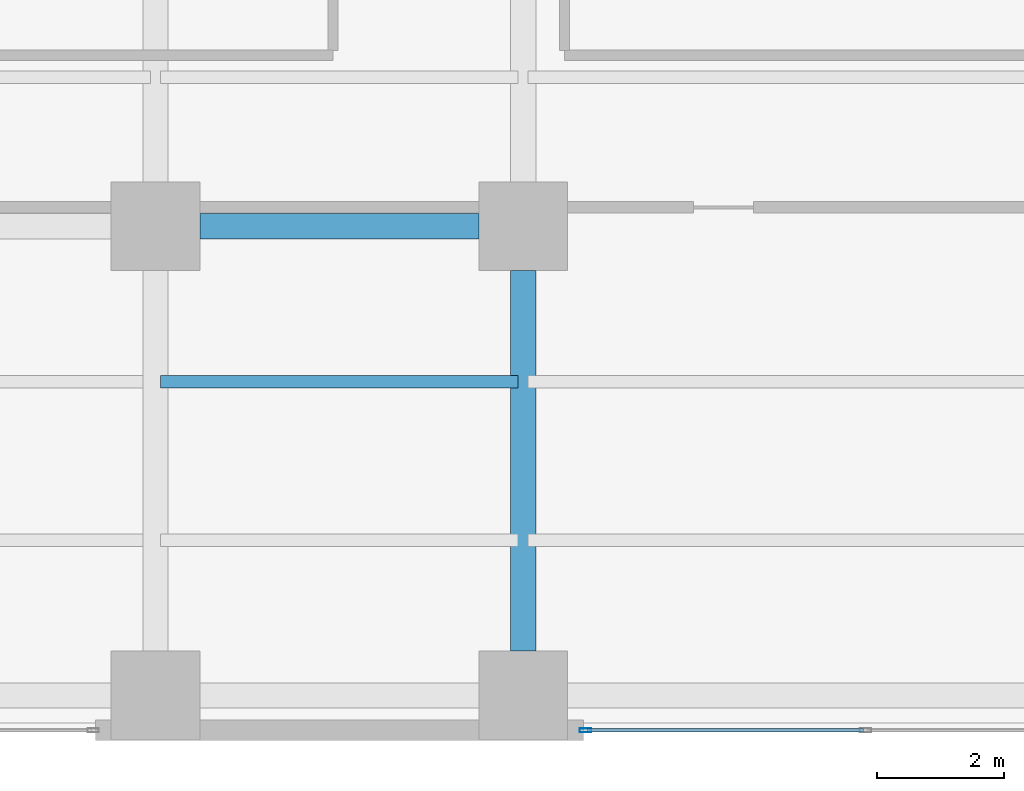
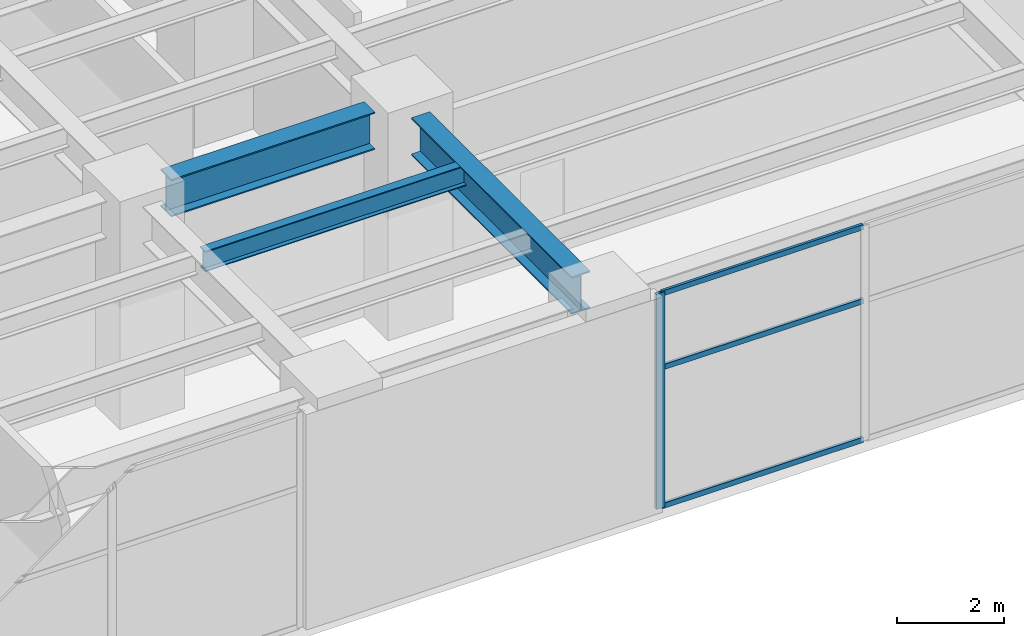
# One storey, part 6 of 29: 4 members, 3 beams, 1 element without a shape of its own.
"""IFC4 building model written with IfcOpenShell, lengths in metres."""

import ifcopenshell
import ifcopenshell.guid

model = None  # the IFC model being written
_history = None  # IfcOwnerHistory: only IFC2X3 demands one
_inside = {}  # id of a spatial element -> (the spatial element, [elements in it])
_under = {}  # id of a project, library or spatial element -> (it, [spatial elements below it])
_declared = {}  # id of a project -> (the project, [libraries it declares])
_typed = {}  # id of a type object -> (the type object, [elements of that type])
_made_of = {}  # id of a material, layer set ... -> (it, [elements and type objects made of it])


def new_model(schema):
    """Start an empty IFC model of exactly this schema.

    Asked for "IFC4X3", IfcOpenShell would pick the latest addendum, in which some entities
    have other attributes; the version numbers below select the first issue.
    IFC2X3 requires an IfcOwnerHistory on every rooted entity: one is made here for all.
    """
    global model, _history
    if schema == "IFC4X3":
        model = ifcopenshell.file(schema_version=(4, 3, 0, 0))
    else:
        model = ifcopenshell.file(schema=schema)
    _inside.clear()
    _under.clear()
    _declared.clear()
    _typed.clear()
    _made_of.clear()
    _history = None
    if model.schema == "IFC2X3":
        org = make("IfcOrganization", Name="unknown")
        user = make(
            "IfcPersonAndOrganization",
            ThePerson=make("IfcPerson", FamilyName="unknown"),
            TheOrganization=org,
        )
        app = make(
            "IfcApplication",
            ApplicationDeveloper=org,
            Version="unknown",
            ApplicationFullName="unknown",
            ApplicationIdentifier="unknown",
        )
        _history = make(
            "IfcOwnerHistory",
            OwningUser=user,
            OwningApplication=app,
            ChangeAction="ADDED",
            CreationDate=0,
        )
    return model


def make(cls, **values):
    """One entity of the class cls with the attributes given. An attribute that is None is left unset."""
    return model.create_entity(
        cls, **{name: value for name, value in values.items() if value is not None}
    )


def rooted(cls, **values):
    """An entity with a GlobalId (a new one), such as an element, a storey or a relation."""
    return make(cls, GlobalId=ifcopenshell.guid.new(), OwnerHistory=_history, **values)


def si_unit(unit_type, name, prefix=None):
    """IfcSIUnit, for example si_unit("LENGTHUNIT", "METRE", prefix="MILLI")."""
    return make("IfcSIUnit", UnitType=unit_type, Prefix=prefix, Name=name)


def assignment(units):
    """IfcUnitAssignment: the units of a project."""
    return None if units is None else make("IfcUnitAssignment", Units=units)


def point(xyz):
    """IfcCartesianPoint."""
    return None if xyz is None else make("IfcCartesianPoint", Coordinates=xyz)


def direction(xyz):
    """IfcDirection."""
    return None if xyz is None else make("IfcDirection", DirectionRatios=xyz)


def frame(location, z_axis=None, x_axis=None):
    """IfcAxis2Placement3D, a coordinate frame: its origin and axes. An axis left out is left unset."""
    return make(
        "IfcAxis2Placement3D",
        Location=point(location),
        Axis=direction(z_axis),
        RefDirection=direction(x_axis),
    )


def frame_2d(location, x_axis=None):
    """IfcAxis2Placement2D, a coordinate frame in the plane: its origin and x axis."""
    return make(
        "IfcAxis2Placement2D", Location=point(location), RefDirection=direction(x_axis)
    )


def origin():
    """The frame at (0, 0, 0) with its axes left unset."""
    return frame((0.0, 0.0, 0.0))


def origin_2d():
    """The frame at (0, 0) in the plane with its x axis left unset."""
    return frame_2d((0.0, 0.0))


def place(relative_to, where):
    """IfcLocalPlacement: puts the frame where relative to a parent placement (None: the world)."""
    return make(
        "IfcLocalPlacement", PlacementRelTo=relative_to, RelativePlacement=where
    )


def context(
    kind, dimensions, precision=None, world=None, true_north=None, identifier=None
):
    """IfcGeometricRepresentationContext, for example the 3D "Model" context."""
    return make(
        "IfcGeometricRepresentationContext",
        ContextIdentifier=identifier,
        ContextType=kind,
        CoordinateSpaceDimension=dimensions,
        Precision=precision,
        WorldCoordinateSystem=world,
        TrueNorth=true_north,
    )


def subcontext(parent, identifier, kind, view, scale=None):
    """IfcGeometricRepresentationSubContext, for example "Body" below "Model"."""
    return make(
        "IfcGeometricRepresentationSubContext",
        ContextIdentifier=identifier,
        ContextType=kind,
        ParentContext=parent,
        TargetScale=scale,
        TargetView=view,
    )


def project(units=None, contexts=None):
    """IfcProject with its units and contexts."""
    return rooted(
        "IfcProject",
        Name="project",
        RepresentationContexts=contexts,
        UnitsInContext=assignment(units),
    )


def spatial(cls, under=None, at=None, **own):
    """A site, building, storey or space (cls), placed at a placement, below another one or the project."""
    s = rooted(cls, ObjectPlacement=at, **own)
    if under is not None:
        _under.setdefault(under.id(), (under, []))[1].append(s)
    return s


def profile(cls, at=None, kind="AREA", **sizes):
    """A parametric profile (cls). Its sizes go by their IFC names, for example OverallWidth=200.0."""
    return make(cls, ProfileType=kind, Position=at, **sizes)


def hollow_rectangle(**sizes):
    """IfcRectangleHollowProfileDef."""
    return profile("IfcRectangleHollowProfileDef", **sizes)


def i_section(**sizes):
    """IfcIShapeProfileDef."""
    return profile("IfcIShapeProfileDef", **sizes)


def extrude(swept, where, along, depth):
    """IfcExtrudedAreaSolid: the profile swept, set in the frame where, extruded along a direction by depth."""
    return make(
        "IfcExtrudedAreaSolid",
        SweptArea=swept,
        Position=where,
        ExtrudedDirection=direction(along),
        Depth=depth,
    )


def shape(context_of_items, identifier, shape_type, items):
    """IfcShapeRepresentation: the items that make up one representation, for example the "Body"."""
    return make(
        "IfcShapeRepresentation",
        ContextOfItems=context_of_items,
        RepresentationIdentifier=identifier,
        RepresentationType=shape_type,
        Items=items,
    )


def material(Name=None, Category=None):
    """IfcMaterial."""
    return make("IfcMaterial", Name=Name, Category=Category)


def layer(
    of_material, thickness, ventilated=None, Name=None, Category=None, Priority=None
):
    """IfcMaterialLayer: one layer of a wall or slab, of a material (None: an air gap)."""
    return make(
        "IfcMaterialLayer",
        Material=of_material,
        LayerThickness=thickness,
        IsVentilated=ventilated,
        Name=Name,
        Category=Category,
        Priority=Priority,
    )


def layer_set(layers, Name=None):
    """IfcMaterialLayerSet."""
    return make("IfcMaterialLayerSet", MaterialLayers=layers, LayerSetName=Name)


def material_profile(
    of_material, cross_section, Name=None, Category=None, Priority=None
):
    """IfcMaterialProfile: a cross section and its material."""
    return make(
        "IfcMaterialProfile",
        Name=Name,
        Material=of_material,
        Profile=cross_section,
        Priority=Priority,
        Category=Category,
    )


def profile_set(profiles, Name=None, composite=None):
    """IfcMaterialProfileSet."""
    return make(
        "IfcMaterialProfileSet",
        Name=Name,
        MaterialProfiles=profiles,
        CompositeProfile=composite,
    )


def made_of(thing, what):
    """Note that an element or type object is made of a material, layer set ...; save() writes the relation."""
    if what is not None:
        _made_of.setdefault(what.id(), (what, []))[1].append(thing)
    return thing


def type_object(cls, material=None, **own):
    """A type object (cls), such as IfcWallType, which elements share."""
    return made_of(rooted(cls, **own), material)


def element(
    cls,
    number,
    at=None,
    inside=None,
    cuts=None,
    type_object=None,
    material=None,
    context=None,
    identifier="Body",
    shape_type=None,
    held_by="IfcProductDefinitionShape",
    body=None,
    shapes=None,
    **own,
):
    """One element of the class cls, such as IfcWall. Its Tag is "e" and its number.

    at: its placement. inside: the storey or other place that contains it. cuts: it is an
    opening in that element (IfcRelVoidsElement). A single representation is given by context,
    identifier, shape_type and body (its items); several are given by shapes. held_by: the class
    of the entity that holds the representations. save() writes the other relations.
    """
    e = rooted(cls, Tag="e%d" % number, ObjectPlacement=at, **own)
    if body is not None:
        shapes = [shape(context, identifier, shape_type, body)]
    if shapes is not None:
        e.Representation = make(held_by, Representations=shapes)
    if inside is not None:
        _inside.setdefault(inside.id(), (inside, []))[1].append(e)
    if cuts is not None:
        rooted(
            "IfcRelVoidsElement", RelatingBuildingElement=cuts, RelatedOpeningElement=e
        )
    if type_object is not None:
        _typed.setdefault(type_object.id(), (type_object, []))[1].append(e)
    return made_of(e, material)


def aggregate(whole, parts):
    """IfcRelAggregates: a whole, such as a stair, and the parts it consists of."""
    return rooted("IfcRelAggregates", RelatingObject=whole, RelatedObjects=parts)


def save(model, path):
    """Write the relations noted so far, then the file.

    IfcRelAggregates (storeys below a building ...), IfcRelContainedInSpatialStructure (elements
    in a storey), IfcRelDefinesByType, IfcRelAssociatesMaterial and IfcRelDeclares: one each for
    every whole, place, type object, material and project.
    """
    for whole, parts in _under.values():
        aggregate(whole, parts)
    for where, things in _inside.values():
        rooted(
            "IfcRelContainedInSpatialStructure",
            RelatedElements=things,
            RelatingStructure=where,
        )
    for kind, things in _typed.values():
        rooted("IfcRelDefinesByType", RelatedObjects=things, RelatingType=kind)
    for what, things in _made_of.values():
        rooted("IfcRelAssociatesMaterial", RelatedObjects=things, RelatingMaterial=what)
    for by, libraries in _declared.values():
        rooted("IfcRelDeclares", RelatingContext=by, RelatedDefinitions=libraries)
    model.write(path)


model = new_model("IFC4")

# Units and contexts
model_context = context("Model", 3, precision=1e-05, world=origin(), true_north=direction((0.0, 1.0)))
body_context = subcontext(model_context, "Body", "Model", "MODEL_VIEW")
ifc_project = project(units=[si_unit("LENGTHUNIT", "METRE"), si_unit("AREAUNIT", "SQUARE_METRE"), si_unit("VOLUMEUNIT", "CUBIC_METRE"), si_unit("PLANEANGLEUNIT", "RADIAN"), si_unit("MASSUNIT", "GRAM", prefix="KILO")], contexts=[model_context])

# Site, building, storey
site_placement = place(None, origin())
site = spatial("IfcSite", under=ifc_project, at=site_placement, CompositionType="ELEMENT")
building_placement = place(site_placement, origin())
building = spatial("IfcBuilding", under=site, at=building_placement, Name="Mawjaban Terraces University", CompositionType="ELEMENT")
storey_placement = place(building_placement, frame((0.0, 0.0, 15.60009765625)))
storey = spatial("IfcBuildingStorey", under=building, at=storey_placement, Name="L03", CompositionType="ELEMENT", Elevation=15.60009765625)

# Beams
ifc_material_1 = material(Name="Steel ASTM A572 Grade 50", Category="steel")
ifc_material_profile_1 = material_profile(ifc_material_1, i_section(OverallWidth=0.39990234375, OverallDepth=0.85498046875, WebThickness=0.018310546875, FlangeThickness=0.029296875, at=origin_2d()), Name="W840X299")
ifc_profile_set_1 = profile_set([ifc_material_profile_1], Name="Steel ASTM A572 Grade 50")
beam_type_1 = type_object("IfcBeamType", Name="Beam_B_W840X299", PredefinedType="BEAM", material=ifc_profile_set_1)
beam_1_placement = place(storey_placement, frame((52.699951171875, 7.949951171875, 4.492919921875), z_axis=(1.0, 0.0, 0.0), x_axis=(0.0, 1.0, 0.0)))
element("IfcBeam", 1, at=beam_1_placement, inside=storey, type_object=beam_type_1, Name="L03 Beam BM-L03-EW-06", PredefinedType="BEAM", context=body_context, shape_type="SweptSolid", body=[
    extrude(i_section(OverallWidth=0.39990234375, OverallDepth=0.85498046875, WebThickness=0.018310546875, FlangeThickness=0.029296875, at=origin_2d()), origin(), (0.0, 0.0, 1.0), 4.400146484375),
])
beam_2_placement = place(storey_placement, frame((57.800048828125, 1.25, 4.492919921875), z_axis=(0.0, 1.0, 0.0), x_axis=(-1.0, 0.0, 0.0)))
element("IfcBeam", 2, at=beam_2_placement, inside=storey, type_object=beam_type_1, Name="L03 Beam BM-L03-NS-19", PredefinedType="BEAM", context=body_context, shape_type="SweptSolid", body=[
    extrude(i_section(OverallWidth=0.39990234375, OverallDepth=0.85498046875, WebThickness=0.018310546875, FlangeThickness=0.029296875, at=origin_2d()), origin(), (0.0, 0.0, 1.0), 6.0),
])
ifc_material_profile_2 = material_profile(ifc_material_1, i_section(OverallWidth=0.194091796875, OverallDepth=0.468994140625, WebThickness=0.011474609375, FlangeThickness=0.0205078125, at=origin_2d()), Name="W460X106")
ifc_profile_set_2 = profile_set([ifc_material_profile_2], Name="Steel ASTM A572 Grade 50")
beam_type_2 = type_object("IfcBeamType", Name="Beam_J_W460X106", PredefinedType="JOIST", material=ifc_profile_set_2)
beam_3_placement = place(storey_placement, frame((52.080078125, 5.5, 4.684814453125), z_axis=(1.0, 0.0, 0.0), x_axis=(0.0, 1.0, 0.0)))
element("IfcBeam", 3, at=beam_3_placement, inside=storey, type_object=beam_type_2, Name="L03 Composite Joist JST-L03-05", PredefinedType="JOIST", context=body_context, shape_type="SweptSolid", body=[
    extrude(i_section(OverallWidth=0.194091796875, OverallDepth=0.468994140625, WebThickness=0.011474609375, FlangeThickness=0.0205078125, at=origin_2d()), origin(), (0.0, 0.0, 1.0), 5.639892578125),
])

# Curtain wall, members
ifc_material_2 = material(Name="Anodised aluminium 6063-T6 and solar-control low-E glass", Category="aluminium")
ifc_layer = layer(ifc_material_2, 0.175048828125)
ifc_layer_set = layer_set([ifc_layer], Name="Anodised aluminium 6063-T6 and solar-control low-E glass")
curtain_wall_type = type_object("IfcCurtainWallType", Name="CWSystem_02_PodiumLibrary", PredefinedType="NOTDEFINED", material=ifc_layer_set)
curtain_wall_placement = place(storey_placement, origin())
curtain_wall = element("IfcCurtainWall", 4, at=curtain_wall_placement, inside=storey, type_object=curtain_wall_type, Name="L03 Curtain Wall CW-02 Run 1.3", PredefinedType="NOTDEFINED")
ifc_material_3 = material(Name="Anodised aluminium 6063-T6", Category="aluminium")
ifc_material_profile_3 = material_profile(ifc_material_3, hollow_rectangle(XDim=0.06494140625, YDim=0.179931640625, WallThickness=0.00390625, at=origin_2d()), Name="ALU180X65X4")
ifc_profile_set_3 = profile_set([ifc_material_profile_3], Name="Anodised aluminium 6063-T6")
member_type_1 = type_object("IfcMemberType", Name="Mullion_CW-02", PredefinedType="MULLION", material=ifc_profile_set_3)
member_1_placement = place(storey_placement, frame((58.782470703125, 0.0, 0.0), z_axis=(0.0, 0.0, 1.0), x_axis=(0.0, 1.0, 0.0)))
member_1 = element("IfcMember", 5, at=member_1_placement, type_object=member_type_1, Name="CW-02 mullion 1", PredefinedType="MULLION", context=body_context, shape_type="SweptSolid", body=[
    extrude(hollow_rectangle(XDim=0.06494140625, YDim=0.179931640625, WallThickness=0.00390625, at=origin_2d()), origin(), (0.0, 0.0, 1.0), 4.919921875),
])
ifc_material_profile_4 = material_profile(ifc_material_3, hollow_rectangle(XDim=0.06005859375, YDim=0.1201171875, WallThickness=0.00341796875, at=origin_2d()), Name="ALU120X60X3.5")
ifc_profile_set_4 = profile_set([ifc_material_profile_4], Name="Anodised aluminium 6063-T6")
member_type_2 = type_object("IfcMemberType", Name="Transom_CW-02", PredefinedType="NOTDEFINED", material=ifc_profile_set_4)
member_2_placement = place(storey_placement, frame((58.81494140625, 0.0, 0.02978515625), z_axis=(1.0, 0.0, 0.0), x_axis=(0.0, 1.0, 0.0)))
member_2 = element("IfcMember", 6, at=member_2_placement, type_object=member_type_2, Name="CW-02 transom 1.1", ObjectType="TRANSOM", PredefinedType="USERDEFINED", context=body_context, shape_type="SweptSolid", body=[
    extrude(hollow_rectangle(XDim=0.06005859375, YDim=0.1201171875, WallThickness=0.00341796875, at=origin_2d()), origin(), (0.0, 0.0, 1.0), 4.3525390625),
])
member_3_placement = place(storey_placement, frame((58.81494140625, 0.0, 3.197998046875), z_axis=(1.0, 0.0, 0.0), x_axis=(0.0, 1.0, 0.0)))
member_3 = element("IfcMember", 7, at=member_3_placement, type_object=member_type_2, Name="CW-02 transom 1.2", ObjectType="TRANSOM", PredefinedType="USERDEFINED", context=body_context, shape_type="SweptSolid", body=[
    extrude(hollow_rectangle(XDim=0.06005859375, YDim=0.1201171875, WallThickness=0.00341796875, at=origin_2d()), origin(), (0.0, 0.0, 1.0), 4.3525390625),
])
member_4_placement = place(storey_placement, frame((58.81494140625, 0.0, 4.889892578125), z_axis=(1.0, 0.0, 0.0), x_axis=(0.0, 1.0, 0.0)))
member_4 = element("IfcMember", 8, at=member_4_placement, type_object=member_type_2, Name="CW-02 transom 1.3", ObjectType="TRANSOM", PredefinedType="USERDEFINED", context=body_context, shape_type="SweptSolid", body=[
    extrude(hollow_rectangle(XDim=0.06005859375, YDim=0.1201171875, WallThickness=0.00341796875, at=origin_2d()), origin(), (0.0, 0.0, 1.0), 4.3525390625),
])
aggregate(curtain_wall, [member_1, member_2, member_3, member_4])

save(model, "model.ifc")
